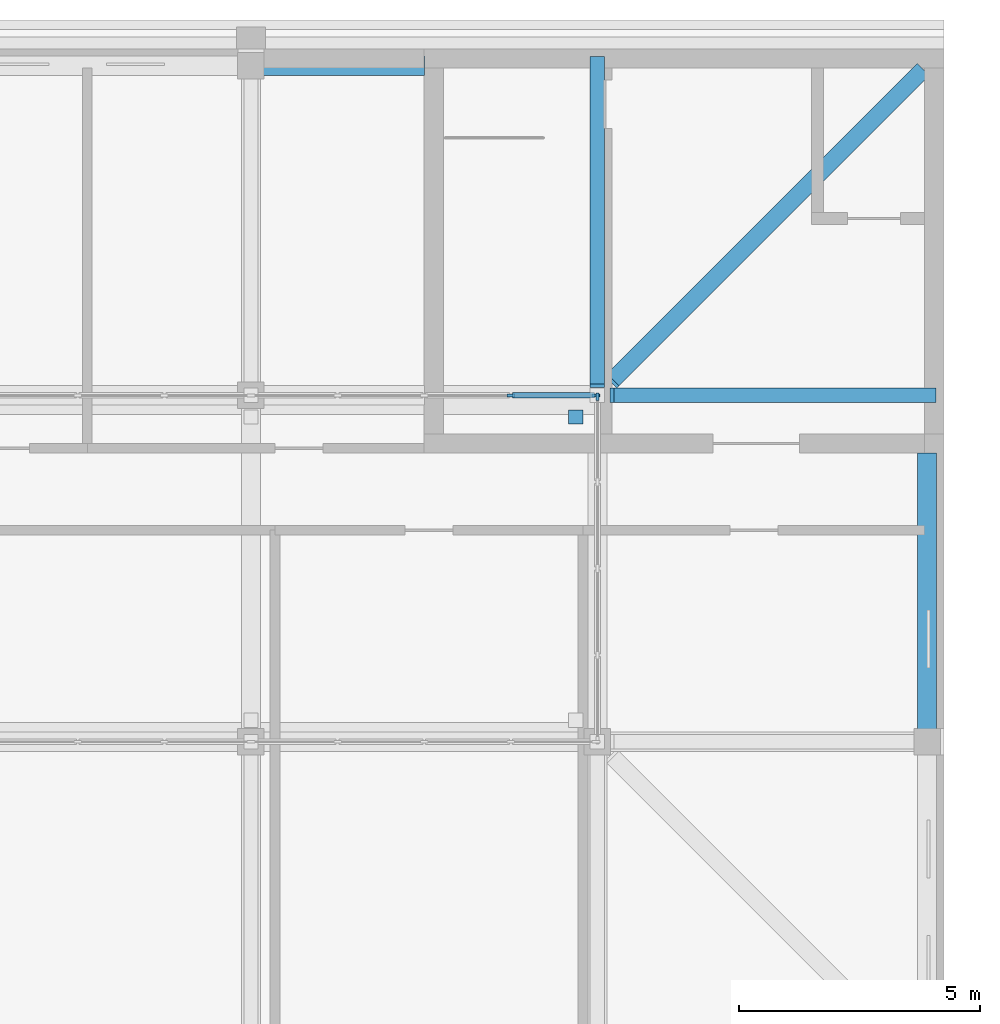
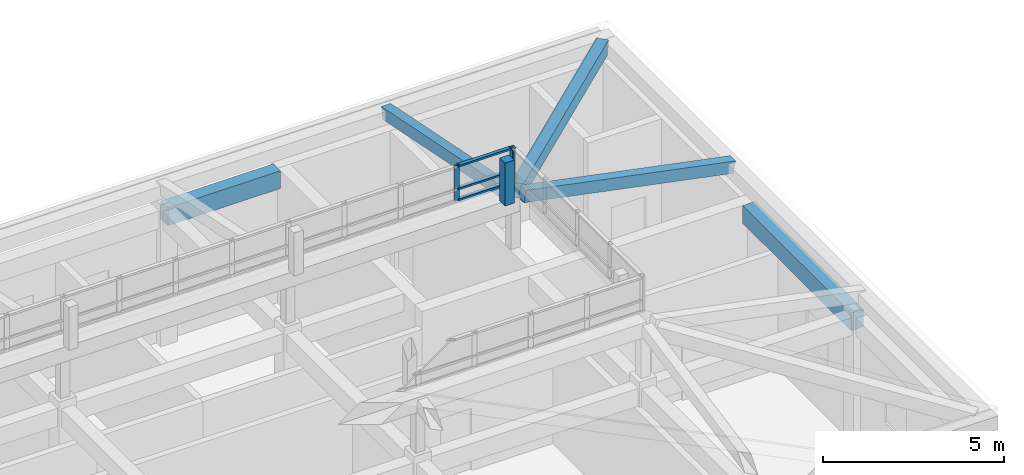
# One storey, part 23 of 48: 7 members, 5 beams, 2 elements without a shape of their own.
"""IFC4 building model written with IfcOpenShell, lengths in metres."""

import ifcopenshell
import ifcopenshell.guid

model = None  # the IFC model being written
_history = None  # IfcOwnerHistory: only IFC2X3 demands one
_inside = {}  # id of a spatial element -> (the spatial element, [elements in it])
_under = {}  # id of a project, library or spatial element -> (it, [spatial elements below it])
_declared = {}  # id of a project -> (the project, [libraries it declares])
_typed = {}  # id of a type object -> (the type object, [elements of that type])
_made_of = {}  # id of a material, layer set ... -> (it, [elements and type objects made of it])


def new_model(schema):
    """Start an empty IFC model of exactly this schema.

    Asked for "IFC4X3", IfcOpenShell would pick the latest addendum, in which some entities
    have other attributes; the version numbers below select the first issue.
    IFC2X3 requires an IfcOwnerHistory on every rooted entity: one is made here for all.
    """
    global model, _history
    if schema == "IFC4X3":
        model = ifcopenshell.file(schema_version=(4, 3, 0, 0))
    else:
        model = ifcopenshell.file(schema=schema)
    _inside.clear()
    _under.clear()
    _declared.clear()
    _typed.clear()
    _made_of.clear()
    _history = None
    if model.schema == "IFC2X3":
        org = make("IfcOrganization", Name="unknown")
        user = make(
            "IfcPersonAndOrganization",
            ThePerson=make("IfcPerson", FamilyName="unknown"),
            TheOrganization=org,
        )
        app = make(
            "IfcApplication",
            ApplicationDeveloper=org,
            Version="unknown",
            ApplicationFullName="unknown",
            ApplicationIdentifier="unknown",
        )
        _history = make(
            "IfcOwnerHistory",
            OwningUser=user,
            OwningApplication=app,
            ChangeAction="ADDED",
            CreationDate=0,
        )
    return model


def make(cls, **values):
    """One entity of the class cls with the attributes given. An attribute that is None is left unset."""
    return model.create_entity(
        cls, **{name: value for name, value in values.items() if value is not None}
    )


def rooted(cls, **values):
    """An entity with a GlobalId (a new one), such as an element, a storey or a relation."""
    return make(cls, GlobalId=ifcopenshell.guid.new(), OwnerHistory=_history, **values)


def si_unit(unit_type, name, prefix=None):
    """IfcSIUnit, for example si_unit("LENGTHUNIT", "METRE", prefix="MILLI")."""
    return make("IfcSIUnit", UnitType=unit_type, Prefix=prefix, Name=name)


def assignment(units):
    """IfcUnitAssignment: the units of a project."""
    return None if units is None else make("IfcUnitAssignment", Units=units)


def point(xyz):
    """IfcCartesianPoint."""
    return None if xyz is None else make("IfcCartesianPoint", Coordinates=xyz)


def direction(xyz):
    """IfcDirection."""
    return None if xyz is None else make("IfcDirection", DirectionRatios=xyz)


def frame(location, z_axis=None, x_axis=None):
    """IfcAxis2Placement3D, a coordinate frame: its origin and axes. An axis left out is left unset."""
    return make(
        "IfcAxis2Placement3D",
        Location=point(location),
        Axis=direction(z_axis),
        RefDirection=direction(x_axis),
    )


def frame_2d(location, x_axis=None):
    """IfcAxis2Placement2D, a coordinate frame in the plane: its origin and x axis."""
    return make(
        "IfcAxis2Placement2D", Location=point(location), RefDirection=direction(x_axis)
    )


def origin():
    """The frame at (0, 0, 0) with its axes left unset."""
    return frame((0.0, 0.0, 0.0))


def origin_2d():
    """The frame at (0, 0) in the plane with its x axis left unset."""
    return frame_2d((0.0, 0.0))


def place(relative_to, where):
    """IfcLocalPlacement: puts the frame where relative to a parent placement (None: the world)."""
    return make(
        "IfcLocalPlacement", PlacementRelTo=relative_to, RelativePlacement=where
    )


def context(
    kind, dimensions, precision=None, world=None, true_north=None, identifier=None
):
    """IfcGeometricRepresentationContext, for example the 3D "Model" context."""
    return make(
        "IfcGeometricRepresentationContext",
        ContextIdentifier=identifier,
        ContextType=kind,
        CoordinateSpaceDimension=dimensions,
        Precision=precision,
        WorldCoordinateSystem=world,
        TrueNorth=true_north,
    )


def subcontext(parent, identifier, kind, view, scale=None):
    """IfcGeometricRepresentationSubContext, for example "Body" below "Model"."""
    return make(
        "IfcGeometricRepresentationSubContext",
        ContextIdentifier=identifier,
        ContextType=kind,
        ParentContext=parent,
        TargetScale=scale,
        TargetView=view,
    )


def project(units=None, contexts=None):
    """IfcProject with its units and contexts."""
    return rooted(
        "IfcProject",
        Name="project",
        RepresentationContexts=contexts,
        UnitsInContext=assignment(units),
    )


def spatial(cls, under=None, at=None, **own):
    """A site, building, storey or space (cls), placed at a placement, below another one or the project."""
    s = rooted(cls, ObjectPlacement=at, **own)
    if under is not None:
        _under.setdefault(under.id(), (under, []))[1].append(s)
    return s


def profile(cls, at=None, kind="AREA", **sizes):
    """A parametric profile (cls). Its sizes go by their IFC names, for example OverallWidth=200.0."""
    return make(cls, ProfileType=kind, Position=at, **sizes)


def rectangle(**sizes):
    """IfcRectangleProfileDef."""
    return profile("IfcRectangleProfileDef", **sizes)


def extrude(swept, where, along, depth):
    """IfcExtrudedAreaSolid: the profile swept, set in the frame where, extruded along a direction by depth."""
    return make(
        "IfcExtrudedAreaSolid",
        SweptArea=swept,
        Position=where,
        ExtrudedDirection=direction(along),
        Depth=depth,
    )


def shape(context_of_items, identifier, shape_type, items):
    """IfcShapeRepresentation: the items that make up one representation, for example the "Body"."""
    return make(
        "IfcShapeRepresentation",
        ContextOfItems=context_of_items,
        RepresentationIdentifier=identifier,
        RepresentationType=shape_type,
        Items=items,
    )


def material(Name=None, Category=None):
    """IfcMaterial."""
    return make("IfcMaterial", Name=Name, Category=Category)


def material_profile(
    of_material, cross_section, Name=None, Category=None, Priority=None
):
    """IfcMaterialProfile: a cross section and its material."""
    return make(
        "IfcMaterialProfile",
        Name=Name,
        Material=of_material,
        Profile=cross_section,
        Priority=Priority,
        Category=Category,
    )


def profile_set(profiles, Name=None, composite=None):
    """IfcMaterialProfileSet."""
    return make(
        "IfcMaterialProfileSet",
        Name=Name,
        MaterialProfiles=profiles,
        CompositeProfile=composite,
    )


def made_of(thing, what):
    """Note that an element or type object is made of a material, layer set ...; save() writes the relation."""
    if what is not None:
        _made_of.setdefault(what.id(), (what, []))[1].append(thing)
    return thing


def type_object(cls, material=None, **own):
    """A type object (cls), such as IfcWallType, which elements share."""
    return made_of(rooted(cls, **own), material)


def element(
    cls,
    number,
    at=None,
    inside=None,
    cuts=None,
    type_object=None,
    material=None,
    context=None,
    identifier="Body",
    shape_type=None,
    held_by="IfcProductDefinitionShape",
    body=None,
    shapes=None,
    **own,
):
    """One element of the class cls, such as IfcWall. Its Tag is "e" and its number.

    at: its placement. inside: the storey or other place that contains it. cuts: it is an
    opening in that element (IfcRelVoidsElement). A single representation is given by context,
    identifier, shape_type and body (its items); several are given by shapes. held_by: the class
    of the entity that holds the representations. save() writes the other relations.
    """
    e = rooted(cls, Tag="e%d" % number, ObjectPlacement=at, **own)
    if body is not None:
        shapes = [shape(context, identifier, shape_type, body)]
    if shapes is not None:
        e.Representation = make(held_by, Representations=shapes)
    if inside is not None:
        _inside.setdefault(inside.id(), (inside, []))[1].append(e)
    if cuts is not None:
        rooted(
            "IfcRelVoidsElement", RelatingBuildingElement=cuts, RelatedOpeningElement=e
        )
    if type_object is not None:
        _typed.setdefault(type_object.id(), (type_object, []))[1].append(e)
    return made_of(e, material)


def aggregate(whole, parts):
    """IfcRelAggregates: a whole, such as a stair, and the parts it consists of."""
    return rooted("IfcRelAggregates", RelatingObject=whole, RelatedObjects=parts)


def save(model, path):
    """Write the relations noted so far, then the file.

    IfcRelAggregates (storeys below a building ...), IfcRelContainedInSpatialStructure (elements
    in a storey), IfcRelDefinesByType, IfcRelAssociatesMaterial and IfcRelDeclares: one each for
    every whole, place, type object, material and project.
    """
    for whole, parts in _under.values():
        aggregate(whole, parts)
    for where, things in _inside.values():
        rooted(
            "IfcRelContainedInSpatialStructure",
            RelatedElements=things,
            RelatingStructure=where,
        )
    for kind, things in _typed.values():
        rooted("IfcRelDefinesByType", RelatedObjects=things, RelatingType=kind)
    for what, things in _made_of.values():
        rooted("IfcRelAssociatesMaterial", RelatedObjects=things, RelatingMaterial=what)
    for by, libraries in _declared.values():
        rooted("IfcRelDeclares", RelatingContext=by, RelatedDefinitions=libraries)
    model.write(path)


model = new_model("IFC4")

# Units and contexts
model_context = context("Model", 3, precision=1e-05, world=origin(), true_north=direction((0.0, 1.0)))
body_context = subcontext(model_context, "Body", "Model", "MODEL_VIEW")
ifc_project = project(units=[si_unit("LENGTHUNIT", "METRE"), si_unit("AREAUNIT", "SQUARE_METRE"), si_unit("VOLUMEUNIT", "CUBIC_METRE"), si_unit("PLANEANGLEUNIT", "RADIAN"), si_unit("MASSUNIT", "GRAM", prefix="KILO")], contexts=[model_context])

# Site, building, storey
site_placement = place(None, origin())
site = spatial("IfcSite", under=ifc_project, at=site_placement, CompositionType="ELEMENT")
building_placement = place(site_placement, origin())
building = spatial("IfcBuilding", under=site, at=building_placement, Name="Alderwick Market Hall", CompositionType="ELEMENT")
storey_placement = place(building_placement, frame((0.0, 0.0, 14.39990234375)))
storey = spatial("IfcBuildingStorey", under=building, at=storey_placement, Name="L02", CompositionType="ELEMENT", Elevation=14.39990234375)

# Curtain wall, members
ifc_material_1 = material(Name="F Curtain Wall 1800 module")
curtain_wall_type = type_object("IfcCurtainWallType", Name="F Curtain Wall 1800 module", PredefinedType="NOTDEFINED", material=ifc_material_1)
curtain_wall_1_placement = place(storey_placement, origin())
curtain_wall_1 = element("IfcCurtainWall", 1, at=curtain_wall_1_placement, inside=storey, type_object=curtain_wall_type, Name="F.lantern.L02.n", PredefinedType="NOTDEFINED")
ifc_material_2 = material(Name="Aluminium alloy 6063-T6", Category="aluminium")
ifc_material_profile_1 = material_profile(ifc_material_2, rectangle(XDim=0.06005859375, YDim=0.159912109375, at=origin_2d()), Name="AL 60x160")
ifc_profile_set_1 = profile_set([ifc_material_profile_1], Name="Aluminium alloy 6063-T6")
member_type_1 = type_object("IfcMemberType", Name="F Curtain Wall Mullion 60x160", PredefinedType="MULLION", material=ifc_profile_set_1)
member_1_placement = place(storey_placement, frame((221.39990234375, 144.0, 6.955078125), z_axis=(0.0, 0.0, 1.0), x_axis=(0.0, 1.0, 0.0)))
member_1 = element("IfcMember", 2, at=member_1_placement, type_object=member_type_1, Name="F-LCW mullion 32", PredefinedType="MULLION", context=body_context, shape_type="SweptSolid", body=[
    extrude(rectangle(XDim=0.06005859375, YDim=0.159912109375, at=origin_2d()), origin(), (0.0, 0.0, 1.0), 1.199951171875),
])
member_2_placement = place(storey_placement, frame((223.169921875, 144.0, 6.955078125), z_axis=(0.0, 0.0, 1.0), x_axis=(0.0, 1.0, 0.0)))
member_2 = element("IfcMember", 3, at=member_2_placement, type_object=member_type_1, Name="F-LCW mullion 33", PredefinedType="MULLION", context=body_context, shape_type="SweptSolid", body=[
    extrude(rectangle(XDim=0.06005859375, YDim=0.159912109375, at=origin_2d()), origin(), (0.0, 0.0, 1.0), 1.199951171875),
])

# Curtain wall, member
curtain_wall_2_placement = place(storey_placement, origin())
curtain_wall_2 = element("IfcCurtainWall", 4, at=curtain_wall_2_placement, inside=storey, type_object=curtain_wall_type, Name="F.lantern.L02.e", PredefinedType="NOTDEFINED")
member_3_placement = place(storey_placement, frame((223.199951171875, 143.969970703125, 6.955078125), z_axis=(0.0, 0.0, 1.0), x_axis=(-1.0, 0.0, 0.0)))
member_3 = element("IfcMember", 5, at=member_3_placement, type_object=member_type_1, Name="F-LCW mullion 5", PredefinedType="MULLION", context=body_context, shape_type="SweptSolid", body=[
    extrude(rectangle(XDim=0.06005859375, YDim=0.159912109375, at=origin_2d()), origin(), (0.0, 0.0, 1.0), 1.199951171875),
])
aggregate(curtain_wall_2, [member_3])

# Member
ifc_material_profile_2 = material_profile(ifc_material_2, rectangle(XDim=0.1201171875, YDim=0.06005859375, at=origin_2d()), Name="AL 60x120")
ifc_profile_set_2 = profile_set([ifc_material_profile_2], Name="Aluminium alloy 6063-T6")
member_type_2 = type_object("IfcMemberType", Name="F Curtain Wall Transom 60x120", PredefinedType="USERDEFINED", material=ifc_profile_set_2)
member_4_placement = place(storey_placement, frame((221.429931640625, 144.0, 6.985107421875), z_axis=(1.0, 0.0, 0.0), x_axis=(0.0, 1.0, 0.0)))
member_4 = element("IfcMember", 6, at=member_4_placement, type_object=member_type_2, Name="F-LCW transom 32.1", ObjectType="TRANSOM", PredefinedType="USERDEFINED", context=body_context, shape_type="SweptSolid", body=[
    extrude(rectangle(XDim=0.1201171875, YDim=0.06005859375, at=origin_2d()), origin(), (0.0, 0.0, 1.0), 1.7099609375),
])

member_5_placement = place(storey_placement, frame((221.429931640625, 144.0, 7.35498046875), z_axis=(1.0, 0.0, 0.0), x_axis=(0.0, 1.0, 0.0)))
member_5 = element("IfcMember", 7, at=member_5_placement, type_object=member_type_2, Name="F-LCW transom 32.2", ObjectType="TRANSOM", PredefinedType="USERDEFINED", context=body_context, shape_type="SweptSolid", body=[
    extrude(rectangle(XDim=0.1201171875, YDim=0.06005859375, at=origin_2d()), origin(), (0.0, 0.0, 1.0), 1.7099609375),
])

member_6_placement = place(storey_placement, frame((221.429931640625, 144.0, 8.125), z_axis=(1.0, 0.0, 0.0), x_axis=(0.0, 1.0, 0.0)))
member_6 = element("IfcMember", 8, at=member_6_placement, type_object=member_type_2, Name="F-LCW transom 32.3", ObjectType="TRANSOM", PredefinedType="USERDEFINED", context=body_context, shape_type="SweptSolid", body=[
    extrude(rectangle(XDim=0.1201171875, YDim=0.06005859375, at=origin_2d()), origin(), (0.0, 0.0, 1.0), 1.7099609375),
])

aggregate(curtain_wall_1, [member_1, member_2, member_4, member_5, member_6])

# Beams
ifc_material_3 = material(Name="Concrete 5000 psi (f'c 35 MPa)", Category="concrete")
ifc_material_profile_3 = material_profile(ifc_material_3, rectangle(XDim=0.39990234375, YDim=0.60009765625, at=origin_2d()), Name="RC 400x600")
ifc_profile_set_3 = profile_set([ifc_material_profile_3], Name="Concrete 5000 psi (f'c 35 MPa)")
beam_type_1 = type_object("IfcBeamType", Name="F Floor Beam RC 400x600", PredefinedType="BEAM", material=ifc_profile_set_3)
beam_1_placement = place(storey_placement, frame((216.0, 150.85009765625, 4.25), z_axis=(1.0, 0.0, 0.0), x_axis=(0.0, 1.0, 0.0)))
element("IfcBeam", 9, at=beam_1_placement, inside=storey, type_object=beam_type_1, Name="F.beam.L02.036", PredefinedType="BEAM", context=body_context, shape_type="SweptSolid", body=[
    extrude(rectangle(XDim=0.39990234375, YDim=0.60009765625, at=origin_2d()), origin(), (0.0, 0.0, 1.0), 3.60107421875),
])
beam_2_placement = place(storey_placement, frame((230.050048828125, 136.800048828125, 4.25), z_axis=(0.0, 1.0, 0.0), x_axis=(-1.0, 0.0, 0.0)))
element("IfcBeam", 10, at=beam_2_placement, inside=storey, type_object=beam_type_1, Name="F.beam.L02.064", PredefinedType="BEAM", context=body_context, shape_type="SweptSolid", body=[
    extrude(rectangle(XDim=0.39990234375, YDim=0.60009765625, at=origin_2d()), origin(), (0.0, 0.0, 1.0), 6.0009765625),
])
ifc_material_profile_4 = material_profile(ifc_material_3, rectangle(XDim=0.35009765625, YDim=0.449951171875, at=origin_2d()), Name="RC 350x450")
ifc_profile_set_4 = profile_set([ifc_material_profile_4], Name="Concrete 5000 psi (f'c 35 MPa)")
beam_type_2 = type_object("IfcBeamType", Name="F Hip Rafter RC 350x450", PredefinedType="BEAM", material=ifc_profile_set_4)
beam_3_placement = place(storey_placement, frame((229.949951171875, 150.75, 5.083251953125), z_axis=(-0.700045684976, -0.700045684976, 0.140968357775), x_axis=(0.707106781187, -0.707106781187, 0.0)))
element("IfcBeam", 11, at=beam_3_placement, inside=storey, type_object=beam_type_2, Name="F.rafter.L02.026", PredefinedType="BEAM", context=body_context, shape_type="SweptSolid", body=[
    extrude(rectangle(XDim=0.35009765625, YDim=0.449951171875, at=origin_2d()), origin(), (0.0, 0.0, 1.0), 9.213623046875),
])

# Member
ifc_material_profile_5 = material_profile(ifc_material_3, rectangle(XDim=0.300048828125, YDim=0.300048828125, at=origin_2d()), Name="RC 300x300")
ifc_profile_set_5 = profile_set([ifc_material_profile_5], Name="Concrete 5000 psi (f'c 35 MPa)")
member_type_3 = type_object("IfcMemberType", Name="F Lantern Post RC 300x300", PredefinedType="POST", material=ifc_profile_set_5)
member_7_placement = place(storey_placement, frame((222.75, 143.550048828125, 6.7001953125), z_axis=(0.0, 0.0, 1.0), x_axis=(1.0, 0.0, 0.0)))
element("IfcMember", 12, at=member_7_placement, inside=storey, type_object=member_type_3, Name="F.lanternpost.L02.18", PredefinedType="POST", context=body_context, shape_type="SweptSolid", body=[
    extrude(rectangle(XDim=0.300048828125, YDim=0.300048828125, at=origin_2d()), origin(), (0.0, 0.0, 1.0), 1.454833984375),
])

# Beams
ifc_material_profile_6 = material_profile(ifc_material_3, rectangle(XDim=0.300048828125, YDim=0.39990234375, at=origin_2d()), Name="RC 300x400")
ifc_profile_set_6 = profile_set([ifc_material_profile_6], Name="Concrete 5000 psi (f'c 35 MPa)")
beam_type_3 = type_object("IfcBeamType", Name="F Rafter RC 300x400", PredefinedType="BEAM", material=ifc_profile_set_6)
beam_4_placement = place(storey_placement, frame((223.199951171875, 151.0, 5.08642578125), z_axis=(0.0, -0.980319904111, 0.197415515103), x_axis=(1.0, 0.0, 0.0)))
element("IfcBeam", 13, at=beam_4_placement, inside=storey, type_object=beam_type_3, Name="F.rafter.L02.018", PredefinedType="BEAM", context=body_context, shape_type="SweptSolid", body=[
    extrude(rectangle(XDim=0.300048828125, YDim=0.39990234375, at=origin_2d()), origin(), (0.0, 0.0, 1.0), 6.9365234375),
])
beam_5_placement = place(storey_placement, frame((230.199951171875, 144.0, 5.08642578125), z_axis=(-0.98031599617, 0.0, 0.197434920046), x_axis=(0.0, -1.0, 0.0)))
element("IfcBeam", 14, at=beam_5_placement, inside=storey, type_object=beam_type_3, Name="F.rafter.L02.022", PredefinedType="BEAM", context=body_context, shape_type="SweptSolid", body=[
    extrude(rectangle(XDim=0.300048828125, YDim=0.39990234375, at=origin_2d()), origin(), (0.0, 0.0, 1.0), 6.83447265625),
])

save(model, "model.ifc")
